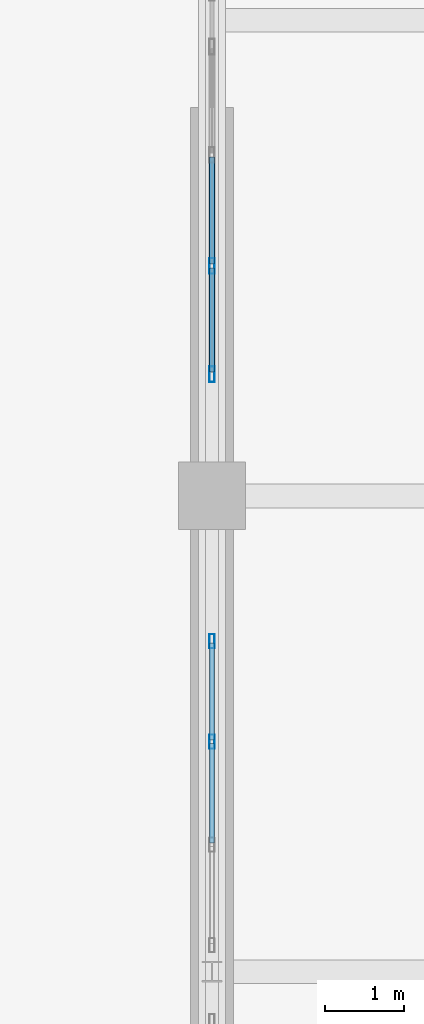
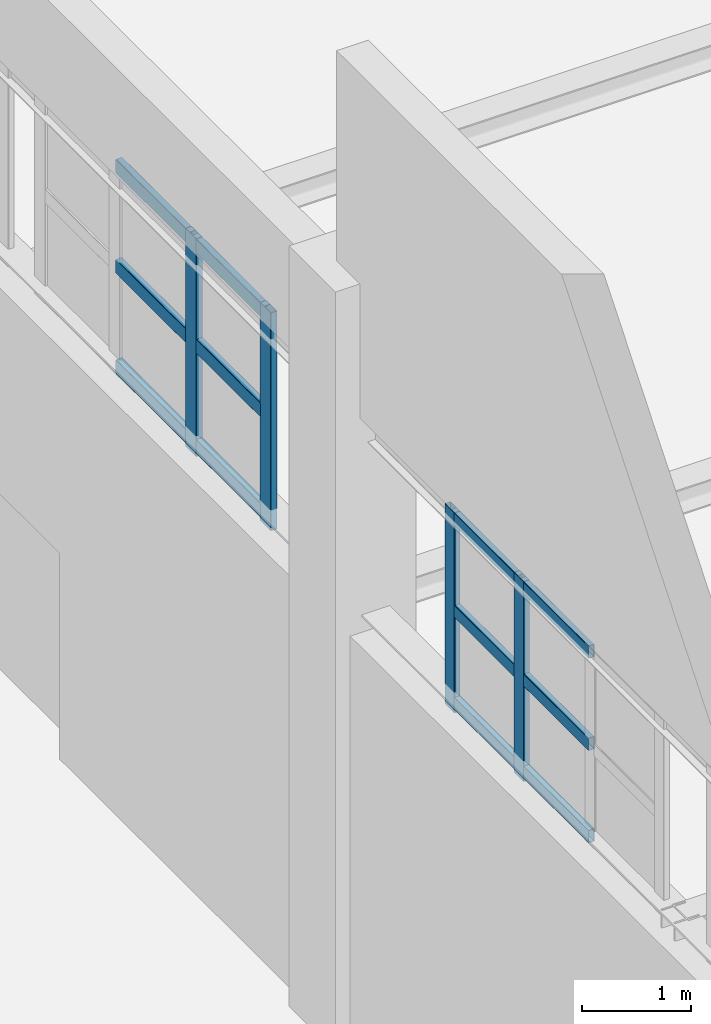
# One storey, part 26 of 97: 16 members, 2 elements without a shape of their own.
"""IFC4 building model written with IfcOpenShell, lengths in metres."""

from ifc_helpers import new_model, si_unit, derived_unit, direction, frame, origin, origin_2d, place, context, subcontext, project, spatial, hollow_rectangle, extrude, material, layer, layer_set, material_profile, profile_set, type_object, element, aggregate, save


model = new_model("IFC4")

# Units and contexts
model_context = context("Model", 3, precision=1e-05, world=origin(), true_north=direction((0.0, 1.0)))
body_context = subcontext(model_context, "Body", "Model", "MODEL_VIEW")
ifc_project = project(units=[si_unit("LENGTHUNIT", "METRE"), si_unit("AREAUNIT", "SQUARE_METRE"), si_unit("VOLUMEUNIT", "CUBIC_METRE"), si_unit("PLANEANGLEUNIT", "RADIAN"), si_unit("MASSUNIT", "GRAM", prefix="KILO"), derived_unit("THERMALTRANSMITTANCEUNIT", [(si_unit("POWERUNIT", "WATT"), 1), (si_unit("LENGTHUNIT", "METRE"), -2), (si_unit("THERMODYNAMICTEMPERATUREUNIT", "KELVIN"), -1)])], contexts=[model_context])

# Site, building, storey
site_placement = place(None, origin())
site = spatial("IfcSite", under=ifc_project, at=site_placement, CompositionType="ELEMENT")
building_placement = place(site_placement, origin())
building = spatial("IfcBuilding", under=site, at=building_placement, Name="Almenara Railside Exhibition Hall", CompositionType="ELEMENT")
storey_placement = place(building_placement, frame((0.0, 0.0, 10.800048828125)))
storey = spatial("IfcBuildingStorey", under=building, at=storey_placement, Name="L02", CompositionType="ELEMENT", Elevation=10.800048828125)

# Curtain wall, members
ifc_material_1 = material(Name="Bronze-anodised aluminium and low-E double glazing", Category="aluminium")
ifc_layer_1 = layer(ifc_material_1, 0.179931640625, Name="Bronze-anodised aluminium and low-E double glazing")
ifc_layer_set_1 = layer_set([ifc_layer_1], Name="Bronze-anodised aluminium and low-E double glazing")
curtain_wall_type_1 = type_object("IfcCurtainWallType", Name="West Hall Clerestory Curtain Wall 3900x2200", PredefinedType="NOTDEFINED", material=ifc_layer_set_1)
curtain_wall_1_placement = place(storey_placement, origin())
curtain_wall_1 = element("IfcCurtainWall", 1, at=curtain_wall_1_placement, inside=storey, type_object=curtain_wall_type_1, Name="Curtain wall CW-CL2-004", PredefinedType="NOTDEFINED")
ifc_material_2 = material(Name="Bronze-anodised aluminium", Category="aluminium")
ifc_material_profile_1 = material_profile(ifc_material_2, hollow_rectangle(XDim=0.06494140625, YDim=0.179931640625, WallThickness=0.00390625, InnerFilletRadius=0.00390625, OuterFilletRadius=0.008056640625, at=origin_2d()), Name="ALU-MUL 65x180x4")
ifc_profile_set_1 = profile_set([ifc_material_profile_1], Name="Bronze-anodised aluminium")
member_type_1 = type_object("IfcMemberType", Name="Curtain Wall Mullion 65x180x4", PredefinedType="MULLION", material=ifc_profile_set_1)
member_1_placement = place(storey_placement, frame((66.0, 56.89990234375, 4.56494140625), z_axis=(0.0, 0.0, 1.0), x_axis=(-1.0, 0.0, 0.0)))
member_1 = element("IfcMember", 2, at=member_1_placement, type_object=member_type_1, Name="CW-CL2-004 mullion 3", PredefinedType="MULLION", context=body_context, shape_type="SweptSolid", body=[
    extrude(hollow_rectangle(XDim=0.06494140625, YDim=0.179931640625, WallThickness=0.00390625, InnerFilletRadius=0.00390625, OuterFilletRadius=0.008056640625, at=origin_2d()), origin(), (0.0, 0.0, 1.0), 2.235107421875),
])
member_2_placement = place(storey_placement, frame((66.0, 58.16748046875, 4.56494140625), z_axis=(0.0, 0.0, 1.0), x_axis=(-1.0, 0.0, 0.0)))
member_2 = element("IfcMember", 3, at=member_2_placement, type_object=member_type_1, Name="CW-CL2-004 mullion 4", PredefinedType="MULLION", context=body_context, shape_type="SweptSolid", body=[
    extrude(hollow_rectangle(XDim=0.06494140625, YDim=0.179931640625, WallThickness=0.00390625, InnerFilletRadius=0.00390625, OuterFilletRadius=0.008056640625, at=origin_2d()), origin(), (0.0, 0.0, 1.0), 2.235107421875),
])

ifc_layer_2 = layer(ifc_material_1, 0.179931640625, Name="Bronze-anodised aluminium and low-E double glazing")
ifc_layer_set_2 = layer_set([ifc_layer_2], Name="Bronze-anodised aluminium and low-E double glazing")
curtain_wall_type_2 = type_object("IfcCurtainWallType", Name="West Hall Clerestory Curtain Wall 4200x2400", PredefinedType="NOTDEFINED", material=ifc_layer_set_2)
curtain_wall_2_placement = place(storey_placement, origin())
curtain_wall_2 = element("IfcCurtainWall", 4, at=curtain_wall_2_placement, inside=storey, type_object=curtain_wall_type_2, Name="Curtain wall CW-CL1-007", PredefinedType="NOTDEFINED")
ifc_material_profile_2 = material_profile(ifc_material_2, hollow_rectangle(XDim=0.070068359375, YDim=0.199951171875, WallThickness=0.00439453125, InnerFilletRadius=0.00439453125, OuterFilletRadius=0.009033203125, at=origin_2d()), Name="ALU-MUL 70x200x4.5")
ifc_profile_set_2 = profile_set([ifc_material_profile_2], Name="Bronze-anodised aluminium")
member_type_2 = type_object("IfcMemberType", Name="Curtain Wall Mullion 70x200x4.5", PredefinedType="MULLION", material=ifc_profile_set_2)
member_3_placement = place(storey_placement, frame((66.0, 61.534912109375, 4.56494140625), z_axis=(0.0, 0.0, 1.0), x_axis=(-1.0, 0.0, 0.0)))
member_3 = element("IfcMember", 5, at=member_3_placement, type_object=member_type_2, Name="CW-CL1-007 mullion 1", PredefinedType="MULLION", context=body_context, shape_type="SweptSolid", body=[
    extrude(hollow_rectangle(XDim=0.070068359375, YDim=0.199951171875, WallThickness=0.00439453125, InnerFilletRadius=0.00439453125, OuterFilletRadius=0.009033203125, at=origin_2d()), origin(), (0.0, 0.0, 1.0), 2.43505859375),
])
member_4_placement = place(storey_placement, frame((66.0, 62.89990234375, 4.56494140625), z_axis=(0.0, 0.0, 1.0), x_axis=(-1.0, 0.0, 0.0)))
member_4 = element("IfcMember", 6, at=member_4_placement, type_object=member_type_2, Name="CW-CL1-007 mullion 2", PredefinedType="MULLION", context=body_context, shape_type="SweptSolid", body=[
    extrude(hollow_rectangle(XDim=0.070068359375, YDim=0.199951171875, WallThickness=0.00439453125, InnerFilletRadius=0.00439453125, OuterFilletRadius=0.009033203125, at=origin_2d()), origin(), (0.0, 0.0, 1.0), 2.43505859375),
])

# Member
ifc_material_profile_3 = material_profile(ifc_material_2, hollow_rectangle(XDim=0.06494140625, YDim=0.139892578125, WallThickness=0.00341796875, InnerFilletRadius=0.00341796875, OuterFilletRadius=0.007080078125, at=origin_2d()), Name="ALU-TRN 65x140x3.5")
ifc_profile_set_3 = profile_set([ifc_material_profile_3], Name="Bronze-anodised aluminium")
member_type_3 = type_object("IfcMemberType", Name="Curtain Wall Transom 65x140x3.5", PredefinedType="USERDEFINED", material=ifc_profile_set_3)
member_5_placement = place(storey_placement, frame((66.0, 55.62451171875, 4.669921875), z_axis=(0.0, 1.0, 0.0), x_axis=(-1.0, 0.0, 0.0)))
member_5 = element("IfcMember", 7, at=member_5_placement, type_object=member_type_3, Name="CW-CL2-004 transom 2.1", ObjectType="TRANSOM", PredefinedType="USERDEFINED", context=body_context, shape_type="SweptSolid", body=[
    extrude(hollow_rectangle(XDim=0.06494140625, YDim=0.139892578125, WallThickness=0.00341796875, InnerFilletRadius=0.00341796875, OuterFilletRadius=0.007080078125, at=origin_2d()), origin(), (0.0, 0.0, 1.0), 1.2509765625),
])

member_6_placement = place(storey_placement, frame((66.0, 55.62451171875, 5.699951171875), z_axis=(0.0, 1.0, 0.0), x_axis=(-1.0, 0.0, 0.0)))
member_6 = element("IfcMember", 8, at=member_6_placement, type_object=member_type_3, Name="CW-CL2-004 transom 2.2", ObjectType="TRANSOM", PredefinedType="USERDEFINED", context=body_context, shape_type="SweptSolid", body=[
    extrude(hollow_rectangle(XDim=0.06494140625, YDim=0.139892578125, WallThickness=0.00341796875, InnerFilletRadius=0.00341796875, OuterFilletRadius=0.007080078125, at=origin_2d()), origin(), (0.0, 0.0, 1.0), 1.2509765625),
])

member_7_placement = place(storey_placement, frame((66.0, 55.62451171875, 6.72998046875), z_axis=(0.0, 1.0, 0.0), x_axis=(-1.0, 0.0, 0.0)))
member_7 = element("IfcMember", 9, at=member_7_placement, type_object=member_type_3, Name="CW-CL2-004 transom 2.3", ObjectType="TRANSOM", PredefinedType="USERDEFINED", context=body_context, shape_type="SweptSolid", body=[
    extrude(hollow_rectangle(XDim=0.06494140625, YDim=0.139892578125, WallThickness=0.00341796875, InnerFilletRadius=0.00341796875, OuterFilletRadius=0.007080078125, at=origin_2d()), origin(), (0.0, 0.0, 1.0), 1.2509765625),
])

member_8_placement = place(storey_placement, frame((66.0, 56.924560546875, 4.669921875), z_axis=(0.0, 1.0, 0.0), x_axis=(-1.0, 0.0, 0.0)))
member_8 = element("IfcMember", 10, at=member_8_placement, type_object=member_type_3, Name="CW-CL2-004 transom 3.1", ObjectType="TRANSOM", PredefinedType="USERDEFINED", context=body_context, shape_type="SweptSolid", body=[
    extrude(hollow_rectangle(XDim=0.06494140625, YDim=0.139892578125, WallThickness=0.00341796875, InnerFilletRadius=0.00341796875, OuterFilletRadius=0.007080078125, at=origin_2d()), origin(), (0.0, 0.0, 1.0), 1.218505859375),
])

member_9_placement = place(storey_placement, frame((66.0, 56.924560546875, 5.699951171875), z_axis=(0.0, 1.0, 0.0), x_axis=(-1.0, 0.0, 0.0)))
member_9 = element("IfcMember", 11, at=member_9_placement, type_object=member_type_3, Name="CW-CL2-004 transom 3.2", ObjectType="TRANSOM", PredefinedType="USERDEFINED", context=body_context, shape_type="SweptSolid", body=[
    extrude(hollow_rectangle(XDim=0.06494140625, YDim=0.139892578125, WallThickness=0.00341796875, InnerFilletRadius=0.00341796875, OuterFilletRadius=0.007080078125, at=origin_2d()), origin(), (0.0, 0.0, 1.0), 1.218505859375),
])

member_10_placement = place(storey_placement, frame((66.0, 56.924560546875, 6.72998046875), z_axis=(0.0, 1.0, 0.0), x_axis=(-1.0, 0.0, 0.0)))
member_10 = element("IfcMember", 12, at=member_10_placement, type_object=member_type_3, Name="CW-CL2-004 transom 3.3", ObjectType="TRANSOM", PredefinedType="USERDEFINED", context=body_context, shape_type="SweptSolid", body=[
    extrude(hollow_rectangle(XDim=0.06494140625, YDim=0.139892578125, WallThickness=0.00341796875, InnerFilletRadius=0.00341796875, OuterFilletRadius=0.007080078125, at=origin_2d()), origin(), (0.0, 0.0, 1.0), 1.218505859375),
])

aggregate(curtain_wall_1, [member_1, member_2, member_5, member_6, member_7, member_8, member_9, member_10])

ifc_material_profile_4 = material_profile(ifc_material_2, hollow_rectangle(XDim=0.070068359375, YDim=0.159912109375, WallThickness=0.00390625, InnerFilletRadius=0.00390625, OuterFilletRadius=0.008056640625, at=origin_2d()), Name="ALU-TRN 70x160x4")
ifc_profile_set_4 = profile_set([ifc_material_profile_4], Name="Bronze-anodised aluminium")
member_type_4 = type_object("IfcMemberType", Name="Curtain Wall Transom 70x160x4", PredefinedType="USERDEFINED", material=ifc_profile_set_4)
member_11_placement = place(storey_placement, frame((66.0, 61.56201171875, 4.679931640625), z_axis=(0.0, 1.0, 0.0), x_axis=(-1.0, 0.0, 0.0)))
member_11 = element("IfcMember", 13, at=member_11_placement, type_object=member_type_4, Name="CW-CL1-007 transom 1.1", ObjectType="TRANSOM", PredefinedType="USERDEFINED", context=body_context, shape_type="SweptSolid", body=[
    extrude(hollow_rectangle(XDim=0.070068359375, YDim=0.159912109375, WallThickness=0.00390625, InnerFilletRadius=0.00390625, OuterFilletRadius=0.008056640625, at=origin_2d()), origin(), (0.0, 0.0, 1.0), 1.31103515625),
])

member_12_placement = place(storey_placement, frame((66.0, 61.56201171875, 5.800048828125), z_axis=(0.0, 1.0, 0.0), x_axis=(-1.0, 0.0, 0.0)))
member_12 = element("IfcMember", 14, at=member_12_placement, type_object=member_type_4, Name="CW-CL1-007 transom 1.2", ObjectType="TRANSOM", PredefinedType="USERDEFINED", context=body_context, shape_type="SweptSolid", body=[
    extrude(hollow_rectangle(XDim=0.070068359375, YDim=0.159912109375, WallThickness=0.00390625, InnerFilletRadius=0.00390625, OuterFilletRadius=0.008056640625, at=origin_2d()), origin(), (0.0, 0.0, 1.0), 1.31103515625),
])

member_13_placement = place(storey_placement, frame((66.0, 61.56201171875, 6.919921875), z_axis=(0.0, 1.0, 0.0), x_axis=(-1.0, 0.0, 0.0)))
member_13 = element("IfcMember", 15, at=member_13_placement, type_object=member_type_4, Name="CW-CL1-007 transom 1.3", ObjectType="TRANSOM", PredefinedType="USERDEFINED", context=body_context, shape_type="SweptSolid", body=[
    extrude(hollow_rectangle(XDim=0.070068359375, YDim=0.159912109375, WallThickness=0.00390625, InnerFilletRadius=0.00390625, OuterFilletRadius=0.008056640625, at=origin_2d()), origin(), (0.0, 0.0, 1.0), 1.31103515625),
])

member_14_placement = place(storey_placement, frame((66.0, 62.927001953125, 4.679931640625), z_axis=(0.0, 1.0, 0.0), x_axis=(-1.0, 0.0, 0.0)))
member_14 = element("IfcMember", 16, at=member_14_placement, type_object=member_type_4, Name="CW-CL1-007 transom 2.1", ObjectType="TRANSOM", PredefinedType="USERDEFINED", context=body_context, shape_type="SweptSolid", body=[
    extrude(hollow_rectangle(XDim=0.070068359375, YDim=0.159912109375, WallThickness=0.00390625, InnerFilletRadius=0.00390625, OuterFilletRadius=0.008056640625, at=origin_2d()), origin(), (0.0, 0.0, 1.0), 1.345947265625),
])

member_15_placement = place(storey_placement, frame((66.0, 62.927001953125, 5.800048828125), z_axis=(0.0, 1.0, 0.0), x_axis=(-1.0, 0.0, 0.0)))
member_15 = element("IfcMember", 17, at=member_15_placement, type_object=member_type_4, Name="CW-CL1-007 transom 2.2", ObjectType="TRANSOM", PredefinedType="USERDEFINED", context=body_context, shape_type="SweptSolid", body=[
    extrude(hollow_rectangle(XDim=0.070068359375, YDim=0.159912109375, WallThickness=0.00390625, InnerFilletRadius=0.00390625, OuterFilletRadius=0.008056640625, at=origin_2d()), origin(), (0.0, 0.0, 1.0), 1.345947265625),
])

member_16_placement = place(storey_placement, frame((66.0, 62.927001953125, 6.919921875), z_axis=(0.0, 1.0, 0.0), x_axis=(-1.0, 0.0, 0.0)))
member_16 = element("IfcMember", 18, at=member_16_placement, type_object=member_type_4, Name="CW-CL1-007 transom 2.3", ObjectType="TRANSOM", PredefinedType="USERDEFINED", context=body_context, shape_type="SweptSolid", body=[
    extrude(hollow_rectangle(XDim=0.070068359375, YDim=0.159912109375, WallThickness=0.00390625, InnerFilletRadius=0.00390625, OuterFilletRadius=0.008056640625, at=origin_2d()), origin(), (0.0, 0.0, 1.0), 1.345947265625),
])

aggregate(curtain_wall_2, [member_3, member_4, member_11, member_12, member_13, member_14, member_15, member_16])

save(model, "model.ifc")
